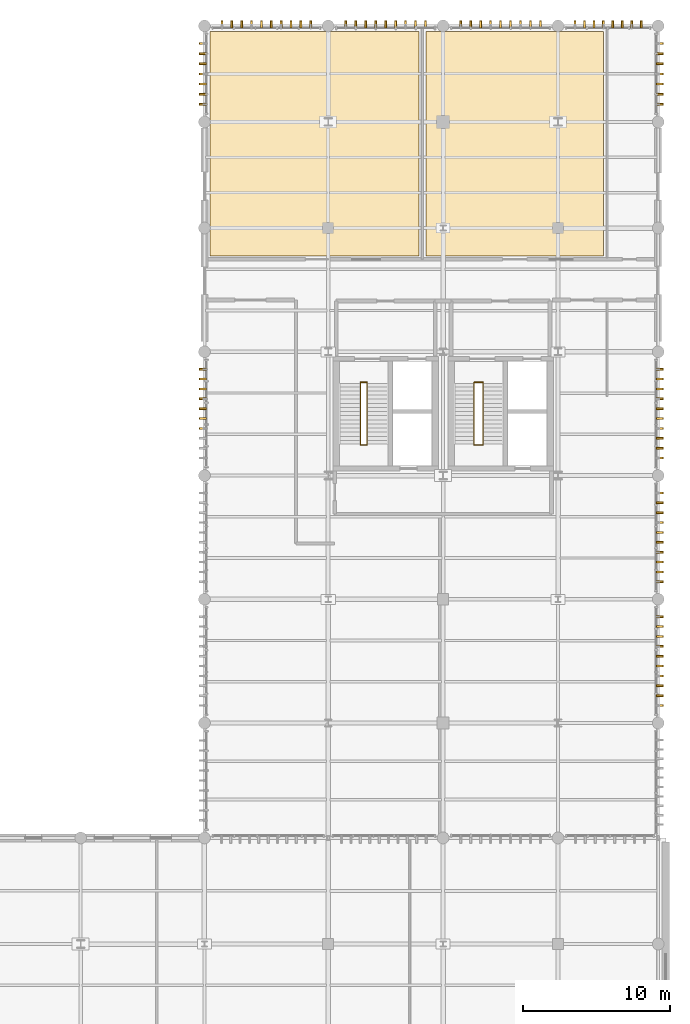
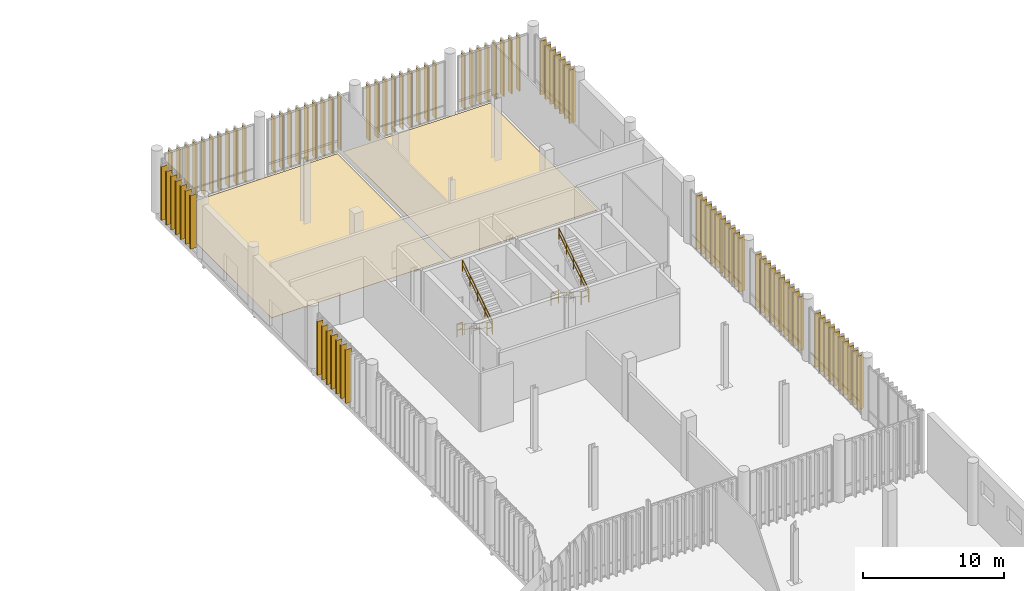
# One storey, part 108 of 112: 89 coverings, 8 railings.
"""IFC4 building model written with IfcOpenShell, lengths in metres."""

from ifc_helpers import new_model, si_unit, direction, frame, frame_2d, origin_with_axes, origin_2d_with_axis, place, context, subcontext, project, spatial, polyline, rectangle, circle, outline, extrude, material, type_object, element, save


model = new_model("IFC4")

# Units and contexts
model_context = context("Model", 3, precision=1e-05, world=origin_with_axes(), true_north=direction((0.0, 1.0)))
body_context = subcontext(model_context, "Body", "Model", "MODEL_VIEW")
ifc_project = project(units=[si_unit("LENGTHUNIT", "METRE"), si_unit("AREAUNIT", "SQUARE_METRE"), si_unit("VOLUMEUNIT", "CUBIC_METRE"), si_unit("PLANEANGLEUNIT", "RADIAN"), si_unit("MASSUNIT", "GRAM", prefix="KILO"), si_unit("THERMODYNAMICTEMPERATUREUNIT", "KELVIN")], contexts=[model_context])

# Site, building, storey
site_placement = place(None, origin_with_axes())
site = spatial("IfcSite", under=ifc_project, at=site_placement, CompositionType="ELEMENT")
building_placement = place(site_placement, origin_with_axes())
building = spatial("IfcBuilding", under=site, at=building_placement, Name="Montbau Bow Law Courts", CompositionType="ELEMENT")
storey_placement = place(building_placement, origin_with_axes())
storey = spatial("IfcBuildingStorey", under=building, at=storey_placement, Name="L00", CompositionType="ELEMENT", Elevation=0.0)

# Coverings
ifc_material_1 = material(Name="Honed Manitoba Tyndall Limestone Concourse Flooring", Category="masonry")
covering_type_1 = type_object("IfcCoveringType", Name="CV-FLR-01", PredefinedType="FLOORING", material=ifc_material_1)
covering_1_placement = place(None, origin_with_axes())
element("IfcCovering", 1, at=covering_1_placement, inside=storey, type_object=covering_type_1, Name="FLR-L00-05:cov_3540", PredefinedType="FLOORING", context=body_context, shape_type="SweptSolid", body=[
    extrude(outline(polyline([(138.97, 116.55), (153.153, 116.55), (153.153, 101.31), (138.97, 101.31), (138.97, 116.55)])), origin_with_axes(), (0.0, 0.0, 1.0), 0.025),
])
covering_2_placement = place(None, origin_with_axes())
element("IfcCovering", 2, at=covering_2_placement, inside=storey, type_object=covering_type_1, Name="FLR-L00-06:cov_3541", PredefinedType="FLOORING", context=body_context, shape_type="SweptSolid", body=[
    extrude(outline(polyline([(153.633, 116.55), (165.7, 116.55), (165.7, 101.31), (153.633, 101.31), (153.633, 116.55)])), origin_with_axes(), (0.0, 0.0, 1.0), 0.025),
])
ifc_material_2 = material(Name="Freeze-Thaw Glazed Slate-Grey Ceramic Vertical Louvre", Category="masonry")
covering_type_2 = type_object("IfcCoveringType", Name="CV-LVR-SLT", PredefinedType="CLADDING", material=ifc_material_2)
for number, where, z_axis, x_axis, name in (
    (3, (139.785, 116.79, 0.0), (1.0, 0.0, 0.0), (0.0, 1.0, 0.0), "CLV-L00-2317:cov_2362"),
    (4, (140.455, 116.79, 0.0), (1.0, 0.0, 0.0), (0.0, 1.0, 0.0), "CLV-L00-2318:cov_2363"),
    (5, (141.125, 116.79, 0.0), (1.0, 0.0, 0.0), (0.0, 1.0, 0.0), "CLV-L00-2319:cov_2364"),
    (6, (141.795, 116.79, 0.0), (1.0, 0.0, 0.0), (0.0, 1.0, 0.0), "CLV-L00-2320:cov_2365"),
    (7, (142.465, 116.79, 0.0), (1.0, 0.0, 0.0), (0.0, 1.0, 0.0), "CLV-L00-2321:cov_2366"),
    (8, (143.135, 116.79, 0.0), (1.0, 0.0, 0.0), (0.0, 1.0, 0.0), "CLV-L00-2322:cov_2367"),
    (9, (143.805, 116.79, 0.0), (1.0, 0.0, 0.0), (0.0, 1.0, 0.0), "CLV-L00-2323:cov_2368"),
    (10, (144.475, 116.79, 0.0), (1.0, 0.0, 0.0), (0.0, 1.0, 0.0), "CLV-L00-2324:cov_2369"),
    (11, (145.145, 116.79, 0.0), (1.0, 0.0, 0.0), (0.0, 1.0, 0.0), "CLV-L00-2325:cov_2370"),
    (12, (145.815, 116.79, 0.0), (1.0, 0.0, 0.0), (0.0, 1.0, 0.0), "CLV-L00-2326:cov_2371"),
    (13, (148.192, 116.79, 0.0), (1.0, 0.0, 0.0), (0.0, 1.0, 0.0), "CLV-L00-2327:cov_2372"),
    (14, (148.869, 116.79, 0.0), (1.0, 0.0, 0.0), (0.0, 1.0, 0.0), "CLV-L00-2328:cov_2373"),
    (15, (149.546, 116.79, 0.0), (1.0, 0.0, 0.0), (0.0, 1.0, 0.0), "CLV-L00-2329:cov_2374"),
    (16, (150.223, 116.79, 0.0), (1.0, 0.0, 0.0), (0.0, 1.0, 0.0), "CLV-L00-2330:cov_2375"),
    (17, (150.9, 116.79, 0.0), (1.0, 0.0, 0.0), (0.0, 1.0, 0.0), "CLV-L00-2331:cov_2376"),
    (18, (151.577, 116.79, 0.0), (1.0, 0.0, 0.0), (0.0, 1.0, 0.0), "CLV-L00-2332:cov_2377"),
    (19, (152.254, 116.79, 0.0), (1.0, 0.0, 0.0), (0.0, 1.0, 0.0), "CLV-L00-2333:cov_2378"),
    (20, (152.931, 116.79, 0.0), (1.0, 0.0, 0.0), (0.0, 1.0, 0.0), "CLV-L00-2334:cov_2379"),
    (21, (153.608, 116.79, 0.0), (1.0, 0.0, 0.0), (0.0, 1.0, 0.0), "CLV-L00-2335:cov_2380"),
    (22, (155.992, 116.79, 0.0), (1.0, 0.0, 0.0), (0.0, 1.0, 0.0), "CLV-L00-2336:cov_2381"),
    (23, (156.669, 116.79, 0.0), (1.0, 0.0, 0.0), (0.0, 1.0, 0.0), "CLV-L00-2337:cov_2382"),
    (24, (157.346, 116.79, 0.0), (1.0, 0.0, 0.0), (0.0, 1.0, 0.0), "CLV-L00-2338:cov_2383"),
    (25, (158.023, 116.79, 0.0), (1.0, 0.0, 0.0), (0.0, 1.0, 0.0), "CLV-L00-2339:cov_2384"),
    (26, (158.7, 116.79, 0.0), (1.0, 0.0, 0.0), (0.0, 1.0, 0.0), "CLV-L00-2340:cov_2385"),
    (27, (159.377, 116.79, 0.0), (1.0, 0.0, 0.0), (0.0, 1.0, 0.0), "CLV-L00-2341:cov_2386"),
    (28, (160.054, 116.79, 0.0), (1.0, 0.0, 0.0), (0.0, 1.0, 0.0), "CLV-L00-2342:cov_2387"),
    (29, (160.731, 116.79, 0.0), (1.0, 0.0, 0.0), (0.0, 1.0, 0.0), "CLV-L00-2343:cov_2388"),
    (30, (161.408, 116.79, 0.0), (1.0, 0.0, 0.0), (0.0, 1.0, 0.0), "CLV-L00-2344:cov_2389"),
    (31, (163.756, 116.79, 0.0), (1.0, 0.0, 0.0), (0.0, 1.0, 0.0), "CLV-L00-2345:cov_2390"),
    (32, (164.397, 116.79, 0.0), (1.0, 0.0, 0.0), (0.0, 1.0, 0.0), "CLV-L00-2346:cov_2391"),
    (33, (165.038, 116.79, 0.0), (1.0, 0.0, 0.0), (0.0, 1.0, 0.0), "CLV-L00-2347:cov_2392"),
    (34, (165.679, 116.79, 0.0), (1.0, 0.0, 0.0), (0.0, 1.0, 0.0), "CLV-L00-2348:cov_2393"),
    (35, (166.321, 116.79, 0.0), (1.0, 0.0, 0.0), (0.0, 1.0, 0.0), "CLV-L00-2349:cov_2394"),
    (36, (166.962, 116.79, 0.0), (1.0, 0.0, 0.0), (0.0, 1.0, 0.0), "CLV-L00-2350:cov_2395"),
    (37, (167.603, 116.79, 0.0), (1.0, 0.0, 0.0), (0.0, 1.0, 0.0), "CLV-L00-2351:cov_2396"),
    (38, (168.244, 116.79, 0.0), (1.0, 0.0, 0.0), (0.0, 1.0, 0.0), "CLV-L00-2352:cov_2397"),
    (39, (138.73, 89.595, 0.0), (0.0, 1.0, 0.0), (-1.0, 0.0, 0.0), "CLV-L00-2385:cov_2430"),
    (40, (138.73, 90.265, 0.0), (0.0, 1.0, 0.0), (-1.0, 0.0, 0.0), "CLV-L00-2386:cov_2431"),
    (41, (138.73, 90.935, 0.0), (0.0, 1.0, 0.0), (-1.0, 0.0, 0.0), "CLV-L00-2387:cov_2432"),
    (42, (138.73, 91.605, 0.0), (0.0, 1.0, 0.0), (-1.0, 0.0, 0.0), "CLV-L00-2388:cov_2433"),
    (43, (138.73, 92.275, 0.0), (0.0, 1.0, 0.0), (-1.0, 0.0, 0.0), "CLV-L00-2389:cov_2434"),
    (44, (138.73, 92.945, 0.0), (0.0, 1.0, 0.0), (-1.0, 0.0, 0.0), "CLV-L00-2390:cov_2435"),
    (45, (138.73, 93.615, 0.0), (0.0, 1.0, 0.0), (-1.0, 0.0, 0.0), "CLV-L00-2391:cov_2436"),
    (46, (138.73, 111.601, 0.0), (0.0, 1.0, 0.0), (-1.0, 0.0, 0.0), "CLV-L00-2392:cov_2437"),
    (47, (138.73, 112.287, 0.0), (0.0, 1.0, 0.0), (-1.0, 0.0, 0.0), "CLV-L00-2393:cov_2438"),
    (48, (138.73, 112.974, 0.0), (0.0, 1.0, 0.0), (-1.0, 0.0, 0.0), "CLV-L00-2394:cov_2439"),
    (49, (138.73, 113.66, 0.0), (0.0, 1.0, 0.0), (-1.0, 0.0, 0.0), "CLV-L00-2395:cov_2440"),
    (50, (138.73, 114.346, 0.0), (0.0, 1.0, 0.0), (-1.0, 0.0, 0.0), "CLV-L00-2396:cov_2441"),
    (51, (138.73, 115.032, 0.0), (0.0, 1.0, 0.0), (-1.0, 0.0, 0.0), "CLV-L00-2397:cov_2442"),
    (52, (138.73, 115.719, 0.0), (0.0, 1.0, 0.0), (-1.0, 0.0, 0.0), "CLV-L00-2398:cov_2443"),
    (53, (169.27, 70.785, 0.0), (0.0, -1.0, 0.0), (1.0, 0.0, 0.0), "CLV-L00-2409:cov_2454"),
    (54, (169.27, 71.455, 0.0), (0.0, -1.0, 0.0), (1.0, 0.0, 0.0), "CLV-L00-2410:cov_2455"),
    (55, (169.27, 72.125, 0.0), (0.0, -1.0, 0.0), (1.0, 0.0, 0.0), "CLV-L00-2411:cov_2456"),
    (56, (169.27, 72.795, 0.0), (0.0, -1.0, 0.0), (1.0, 0.0, 0.0), "CLV-L00-2412:cov_2457"),
    (57, (169.27, 73.465, 0.0), (0.0, -1.0, 0.0), (1.0, 0.0, 0.0), "CLV-L00-2413:cov_2458"),
    (58, (169.27, 74.135, 0.0), (0.0, -1.0, 0.0), (1.0, 0.0, 0.0), "CLV-L00-2414:cov_2459"),
    (59, (169.27, 74.805, 0.0), (0.0, -1.0, 0.0), (1.0, 0.0, 0.0), "CLV-L00-2415:cov_2460"),
    (60, (169.27, 75.475, 0.0), (0.0, -1.0, 0.0), (1.0, 0.0, 0.0), "CLV-L00-2416:cov_2461"),
    (61, (169.27, 76.145, 0.0), (0.0, -1.0, 0.0), (1.0, 0.0, 0.0), "CLV-L00-2417:cov_2462"),
    (62, (169.27, 76.815, 0.0), (0.0, -1.0, 0.0), (1.0, 0.0, 0.0), "CLV-L00-2418:cov_2463"),
    (63, (169.27, 79.185, 0.0), (0.0, -1.0, 0.0), (1.0, 0.0, 0.0), "CLV-L00-2419:cov_2464"),
    (64, (169.27, 79.855, 0.0), (0.0, -1.0, 0.0), (1.0, 0.0, 0.0), "CLV-L00-2420:cov_2465"),
    (65, (169.27, 80.525, 0.0), (0.0, -1.0, 0.0), (1.0, 0.0, 0.0), "CLV-L00-2421:cov_2466"),
    (66, (169.27, 81.195, 0.0), (0.0, -1.0, 0.0), (1.0, 0.0, 0.0), "CLV-L00-2422:cov_2467"),
    (67, (169.27, 81.865, 0.0), (0.0, -1.0, 0.0), (1.0, 0.0, 0.0), "CLV-L00-2423:cov_2468"),
    (68, (169.27, 82.535, 0.0), (0.0, -1.0, 0.0), (1.0, 0.0, 0.0), "CLV-L00-2424:cov_2469"),
    (69, (169.27, 83.205, 0.0), (0.0, -1.0, 0.0), (1.0, 0.0, 0.0), "CLV-L00-2425:cov_2470"),
    (70, (169.27, 83.875, 0.0), (0.0, -1.0, 0.0), (1.0, 0.0, 0.0), "CLV-L00-2426:cov_2471"),
    (71, (169.27, 84.545, 0.0), (0.0, -1.0, 0.0), (1.0, 0.0, 0.0), "CLV-L00-2427:cov_2472"),
    (72, (169.27, 85.215, 0.0), (0.0, -1.0, 0.0), (1.0, 0.0, 0.0), "CLV-L00-2428:cov_2473"),
    (73, (169.27, 87.585, 0.0), (0.0, -1.0, 0.0), (1.0, 0.0, 0.0), "CLV-L00-2429:cov_2474"),
    (74, (169.27, 88.255, 0.0), (0.0, -1.0, 0.0), (1.0, 0.0, 0.0), "CLV-L00-2430:cov_2475"),
    (75, (169.27, 88.925, 0.0), (0.0, -1.0, 0.0), (1.0, 0.0, 0.0), "CLV-L00-2431:cov_2476"),
    (76, (169.27, 89.595, 0.0), (0.0, -1.0, 0.0), (1.0, 0.0, 0.0), "CLV-L00-2432:cov_2477"),
    (77, (169.27, 90.265, 0.0), (0.0, -1.0, 0.0), (1.0, 0.0, 0.0), "CLV-L00-2433:cov_2478"),
    (78, (169.27, 90.935, 0.0), (0.0, -1.0, 0.0), (1.0, 0.0, 0.0), "CLV-L00-2434:cov_2479"),
    (79, (169.27, 91.605, 0.0), (0.0, -1.0, 0.0), (1.0, 0.0, 0.0), "CLV-L00-2435:cov_2480"),
    (80, (169.27, 92.275, 0.0), (0.0, -1.0, 0.0), (1.0, 0.0, 0.0), "CLV-L00-2436:cov_2481"),
    (81, (169.27, 92.945, 0.0), (0.0, -1.0, 0.0), (1.0, 0.0, 0.0), "CLV-L00-2437:cov_2482"),
    (82, (169.27, 93.615, 0.0), (0.0, -1.0, 0.0), (1.0, 0.0, 0.0), "CLV-L00-2438:cov_2483"),
    (83, (169.27, 111.601, 0.0), (0.0, -1.0, 0.0), (1.0, 0.0, 0.0), "CLV-L00-2439:cov_2484"),
    (84, (169.27, 112.287, 0.0), (0.0, -1.0, 0.0), (1.0, 0.0, 0.0), "CLV-L00-2440:cov_2485"),
    (85, (169.27, 112.974, 0.0), (0.0, -1.0, 0.0), (1.0, 0.0, 0.0), "CLV-L00-2441:cov_2486"),
    (86, (169.27, 113.66, 0.0), (0.0, -1.0, 0.0), (1.0, 0.0, 0.0), "CLV-L00-2442:cov_2487"),
    (87, (169.27, 114.346, 0.0), (0.0, -1.0, 0.0), (1.0, 0.0, 0.0), "CLV-L00-2443:cov_2488"),
    (88, (169.27, 115.032, 0.0), (0.0, -1.0, 0.0), (1.0, 0.0, 0.0), "CLV-L00-2444:cov_2489"),
    (89, (169.27, 115.719, 0.0), (0.0, -1.0, 0.0), (1.0, 0.0, 0.0), "CLV-L00-2445:cov_2490"),
):
    element("IfcCovering", number, at=place(None, frame(where, z_axis=z_axis, x_axis=x_axis)), inside=storey, type_object=covering_type_2, Name=name, PredefinedType="CLADDING", context=body_context, shape_type="SweptSolid", body=[
        extrude(rectangle(XDim=0.48, YDim=4.64, at=frame_2d((0.24, 2.32), x_axis=(1.0, 0.0))), frame((0.0, 0.0, -0.06), z_axis=(0.0, 0.0, 1.0), x_axis=(1.0, 0.0, 0.0)), (0.0, 0.0, 1.0), 0.12),
    ])

# Railings
ifc_material_3 = material(Name="Architectural Bronze-Finished Steel Stair Guard", Category="steel")
railing_type_1 = type_object("IfcRailingType", Name="RL-GRD-1100", PredefinedType="GUARDRAIL", material=ifc_material_3)
railing_1_placement = place(None, origin_with_axes())
element("IfcRailing", 90, at=railing_1_placement, inside=storey, type_object=railing_type_1, Name="SG-ST-P2-L00-ML:rlg_0164", PredefinedType="GUARDRAIL", context=body_context, shape_type="SweptSolid", body=[
    extrude(circle(Radius=0.0225, at=origin_2d_with_axis()), frame((149.185, 88.47, 3.802), z_axis=(1.0, 0.0, 0.0), x_axis=(0.0, 0.0, 1.0)), (0.0, 0.0, 1.0), 0.455),
    extrude(circle(Radius=0.02025, at=origin_2d_with_axis()), frame((149.185, 88.47, 3.272), z_axis=(1.0, 0.0, 0.0), x_axis=(0.0, 0.0, 1.0)), (0.0, 0.0, 1.0), 0.455),
    extrude(circle(Radius=0.02025, at=origin_2d_with_axis()), frame((149.185, 88.47, 2.7), z_axis=(0.0, 0.0, 1.0), x_axis=(1.0, 0.0, 0.0)), (0.0, 0.0, 1.0), 1.07525),
    extrude(circle(Radius=0.02025, at=origin_2d_with_axis()), frame((149.64, 88.47, 2.7), z_axis=(0.0, 0.0, 1.0), x_axis=(1.0, 0.0, 0.0)), (0.0, 0.0, 1.0), 1.07525),
])
railing_2_placement = place(None, origin_with_axes())
element("IfcRailing", 91, at=railing_2_placement, inside=storey, type_object=railing_type_1, Name="SG-ST-P2-L00-BL:rlg_0165", PredefinedType="GUARDRAIL", context=body_context, shape_type="SweptSolid", body=[
    extrude(circle(Radius=0.0225, at=origin_2d_with_axis()), frame((149.185, 92.73, 1.102), z_axis=(1.0, 0.0, 0.0), x_axis=(0.0, 0.0, 1.0)), (0.0, 0.0, 1.0), 0.455),
    extrude(circle(Radius=0.02025, at=origin_2d_with_axis()), frame((149.185, 92.73, 0.572), z_axis=(1.0, 0.0, 0.0), x_axis=(0.0, 0.0, 1.0)), (0.0, 0.0, 1.0), 0.455),
    extrude(circle(Radius=0.02025, at=origin_2d_with_axis()), frame((149.185, 92.73, 0.0), z_axis=(0.0, 0.0, 1.0), x_axis=(1.0, 0.0, 0.0)), (0.0, 0.0, 1.0), 1.07525),
    extrude(circle(Radius=0.02025, at=origin_2d_with_axis()), frame((149.64, 92.73, 0.0), z_axis=(0.0, 0.0, 1.0), x_axis=(1.0, 0.0, 0.0)), (0.0, 0.0, 1.0), 1.07525),
])
railing_3_placement = place(None, origin_with_axes())
element("IfcRailing", 92, at=railing_3_placement, inside=storey, type_object=railing_type_1, Name="SG-ST-J2-L00-ML:rlg_0207", PredefinedType="GUARDRAIL", context=body_context, shape_type="SweptSolid", body=[
    extrude(circle(Radius=0.0225, at=origin_2d_with_axis()), frame((156.905, 88.47, 3.802), z_axis=(1.0, 0.0, 0.0), x_axis=(0.0, 0.0, 1.0)), (0.0, 0.0, 1.0), 0.615),
    extrude(circle(Radius=0.02025, at=origin_2d_with_axis()), frame((156.905, 88.47, 3.272), z_axis=(1.0, 0.0, 0.0), x_axis=(0.0, 0.0, 1.0)), (0.0, 0.0, 1.0), 0.615),
    extrude(circle(Radius=0.02025, at=origin_2d_with_axis()), frame((156.905, 88.47, 2.7), z_axis=(0.0, 0.0, 1.0), x_axis=(1.0, 0.0, 0.0)), (0.0, 0.0, 1.0), 1.07525),
    extrude(circle(Radius=0.02025, at=origin_2d_with_axis()), frame((157.52, 88.47, 2.7), z_axis=(0.0, 0.0, 1.0), x_axis=(1.0, 0.0, 0.0)), (0.0, 0.0, 1.0), 1.07525),
])
railing_4_placement = place(None, origin_with_axes())
element("IfcRailing", 93, at=railing_4_placement, inside=storey, type_object=railing_type_1, Name="SG-ST-J2-L00-BL:rlg_0208", PredefinedType="GUARDRAIL", context=body_context, shape_type="SweptSolid", body=[
    extrude(circle(Radius=0.0225, at=origin_2d_with_axis()), frame((156.905, 92.73, 1.102), z_axis=(1.0, 0.0, 0.0), x_axis=(0.0, 0.0, 1.0)), (0.0, 0.0, 1.0), 0.615),
    extrude(circle(Radius=0.02025, at=origin_2d_with_axis()), frame((156.905, 92.73, 0.572), z_axis=(1.0, 0.0, 0.0), x_axis=(0.0, 0.0, 1.0)), (0.0, 0.0, 1.0), 0.615),
    extrude(circle(Radius=0.02025, at=origin_2d_with_axis()), frame((156.905, 92.73, 0.0), z_axis=(0.0, 0.0, 1.0), x_axis=(1.0, 0.0, 0.0)), (0.0, 0.0, 1.0), 1.07525),
    extrude(circle(Radius=0.02025, at=origin_2d_with_axis()), frame((157.52, 92.73, 0.0), z_axis=(0.0, 0.0, 1.0), x_axis=(1.0, 0.0, 0.0)), (0.0, 0.0, 1.0), 1.07525),
])
ifc_material_4 = material(Name="White-Oak and Stainless Continuous Stair Handrail", Category="steel")
railing_type_2 = type_object("IfcRailingType", Name="RL-HND-0920", PredefinedType="HANDRAIL", material=ifc_material_4)
railing_5_placement = place(None, origin_with_axes())
element("IfcRailing", 94, at=railing_5_placement, inside=storey, type_object=railing_type_2, Name="HR-ST-P2-L00-1:rlg_0166", PredefinedType="HANDRAIL", context=body_context, shape_type="SweptSolid", body=[
    extrude(circle(Radius=0.021, at=origin_2d_with_axis()), frame((149.185, 92.7, 1.102), z_axis=(0.0, -0.841178475, 0.540757591), x_axis=(0.0, 0.540757591, 0.841178475)), (0.0, 0.0, 1.0), 4.992995),
    extrude(circle(Radius=0.0189, at=origin_2d_with_axis()), frame((149.185, 92.7, 0.6584), z_axis=(0.0, -0.841178475, 0.540757591), x_axis=(0.0, 0.540757591, 0.841178475)), (0.0, 0.0, 1.0), 4.992995),
    extrude(circle(Radius=0.0189, at=origin_2d_with_axis()), frame((149.185, 92.7, 0.18), z_axis=(0.0, 0.0, 1.0), x_axis=(1.0, 0.0, 0.0)), (0.0, 0.0, 1.0), 0.8969),
    extrude(circle(Radius=0.0189, at=origin_2d_with_axis()), frame((149.185, 91.65, 0.855), z_axis=(0.0, 0.0, 1.0), x_axis=(1.0, 0.0, 0.0)), (0.0, 0.0, 1.0), 0.8969),
    extrude(circle(Radius=0.0189, at=origin_2d_with_axis()), frame((149.185, 90.6, 1.53), z_axis=(0.0, 0.0, 1.0), x_axis=(1.0, 0.0, 0.0)), (0.0, 0.0, 1.0), 0.8969),
    extrude(circle(Radius=0.0189, at=origin_2d_with_axis()), frame((149.185, 89.55, 2.205), z_axis=(0.0, 0.0, 1.0), x_axis=(1.0, 0.0, 0.0)), (0.0, 0.0, 1.0), 0.8969),
    extrude(circle(Radius=0.0189, at=origin_2d_with_axis()), frame((149.185, 88.5, 2.88), z_axis=(0.0, 0.0, 1.0), x_axis=(1.0, 0.0, 0.0)), (0.0, 0.0, 1.0), 0.8969),
])
railing_6_placement = place(None, origin_with_axes())
element("IfcRailing", 95, at=railing_6_placement, inside=storey, type_object=railing_type_2, Name="HR-ST-P2-L00-2:rlg_0167", PredefinedType="HANDRAIL", context=body_context, shape_type="SweptSolid", body=[
    extrude(circle(Radius=0.021, at=origin_2d_with_axis()), frame((149.64, 88.5, 3.802), z_axis=(0.0, 0.841178475, 0.540757591), x_axis=(0.0, -0.540757591, 0.841178475)), (0.0, 0.0, 1.0), 4.992995),
    extrude(circle(Radius=0.0189, at=origin_2d_with_axis()), frame((149.64, 88.5, 3.3584), z_axis=(0.0, 0.841178475, 0.540757591), x_axis=(0.0, -0.540757591, 0.841178475)), (0.0, 0.0, 1.0), 4.992995),
    extrude(circle(Radius=0.0189, at=origin_2d_with_axis()), frame((149.64, 88.5, 2.88), z_axis=(0.0, 0.0, 1.0), x_axis=(1.0, 0.0, 0.0)), (0.0, 0.0, 1.0), 0.8969),
    extrude(circle(Radius=0.0189, at=origin_2d_with_axis()), frame((149.64, 89.55, 3.555), z_axis=(0.0, 0.0, 1.0), x_axis=(1.0, 0.0, 0.0)), (0.0, 0.0, 1.0), 0.8969),
    extrude(circle(Radius=0.0189, at=origin_2d_with_axis()), frame((149.64, 90.6, 4.23), z_axis=(0.0, 0.0, 1.0), x_axis=(1.0, 0.0, 0.0)), (0.0, 0.0, 1.0), 0.8969),
    extrude(circle(Radius=0.0189, at=origin_2d_with_axis()), frame((149.64, 91.65, 4.905), z_axis=(0.0, 0.0, 1.0), x_axis=(1.0, 0.0, 0.0)), (0.0, 0.0, 1.0), 0.8969),
    extrude(circle(Radius=0.0189, at=origin_2d_with_axis()), frame((149.64, 92.7, 5.58), z_axis=(0.0, 0.0, 1.0), x_axis=(1.0, 0.0, 0.0)), (0.0, 0.0, 1.0), 0.8969),
])
railing_7_placement = place(None, origin_with_axes())
element("IfcRailing", 96, at=railing_7_placement, inside=storey, type_object=railing_type_2, Name="HR-ST-J2-L00-1:rlg_0209", PredefinedType="HANDRAIL", context=body_context, shape_type="SweptSolid", body=[
    extrude(circle(Radius=0.021, at=origin_2d_with_axis()), frame((156.905, 92.7, 1.102), z_axis=(0.0, -0.841178475, 0.540757591), x_axis=(0.0, 0.540757591, 0.841178475)), (0.0, 0.0, 1.0), 4.992995),
    extrude(circle(Radius=0.0189, at=origin_2d_with_axis()), frame((156.905, 92.7, 0.6584), z_axis=(0.0, -0.841178475, 0.540757591), x_axis=(0.0, 0.540757591, 0.841178475)), (0.0, 0.0, 1.0), 4.992995),
    extrude(circle(Radius=0.0189, at=origin_2d_with_axis()), frame((156.905, 92.7, 0.18), z_axis=(0.0, 0.0, 1.0), x_axis=(1.0, 0.0, 0.0)), (0.0, 0.0, 1.0), 0.8969),
    extrude(circle(Radius=0.0189, at=origin_2d_with_axis()), frame((156.905, 91.65, 0.855), z_axis=(0.0, 0.0, 1.0), x_axis=(1.0, 0.0, 0.0)), (0.0, 0.0, 1.0), 0.8969),
    extrude(circle(Radius=0.0189, at=origin_2d_with_axis()), frame((156.905, 90.6, 1.53), z_axis=(0.0, 0.0, 1.0), x_axis=(1.0, 0.0, 0.0)), (0.0, 0.0, 1.0), 0.8969),
    extrude(circle(Radius=0.0189, at=origin_2d_with_axis()), frame((156.905, 89.55, 2.205), z_axis=(0.0, 0.0, 1.0), x_axis=(1.0, 0.0, 0.0)), (0.0, 0.0, 1.0), 0.8969),
    extrude(circle(Radius=0.0189, at=origin_2d_with_axis()), frame((156.905, 88.5, 2.88), z_axis=(0.0, 0.0, 1.0), x_axis=(1.0, 0.0, 0.0)), (0.0, 0.0, 1.0), 0.8969),
])
railing_8_placement = place(None, origin_with_axes())
element("IfcRailing", 97, at=railing_8_placement, inside=storey, type_object=railing_type_2, Name="HR-ST-J2-L00-2:rlg_0210", PredefinedType="HANDRAIL", context=body_context, shape_type="SweptSolid", body=[
    extrude(circle(Radius=0.021, at=origin_2d_with_axis()), frame((157.52, 88.5, 3.802), z_axis=(0.0, 0.841178475, 0.540757591), x_axis=(0.0, -0.540757591, 0.841178475)), (0.0, 0.0, 1.0), 4.992995),
    extrude(circle(Radius=0.0189, at=origin_2d_with_axis()), frame((157.52, 88.5, 3.3584), z_axis=(0.0, 0.841178475, 0.540757591), x_axis=(0.0, -0.540757591, 0.841178475)), (0.0, 0.0, 1.0), 4.992995),
    extrude(circle(Radius=0.0189, at=origin_2d_with_axis()), frame((157.52, 88.5, 2.88), z_axis=(0.0, 0.0, 1.0), x_axis=(1.0, 0.0, 0.0)), (0.0, 0.0, 1.0), 0.8969),
    extrude(circle(Radius=0.0189, at=origin_2d_with_axis()), frame((157.52, 89.55, 3.555), z_axis=(0.0, 0.0, 1.0), x_axis=(1.0, 0.0, 0.0)), (0.0, 0.0, 1.0), 0.8969),
    extrude(circle(Radius=0.0189, at=origin_2d_with_axis()), frame((157.52, 90.6, 4.23), z_axis=(0.0, 0.0, 1.0), x_axis=(1.0, 0.0, 0.0)), (0.0, 0.0, 1.0), 0.8969),
    extrude(circle(Radius=0.0189, at=origin_2d_with_axis()), frame((157.52, 91.65, 4.905), z_axis=(0.0, 0.0, 1.0), x_axis=(1.0, 0.0, 0.0)), (0.0, 0.0, 1.0), 0.8969),
    extrude(circle(Radius=0.0189, at=origin_2d_with_axis()), frame((157.52, 92.7, 5.58), z_axis=(0.0, 0.0, 1.0), x_axis=(1.0, 0.0, 0.0)), (0.0, 0.0, 1.0), 0.8969),
])

save(model, "model.ifc")
